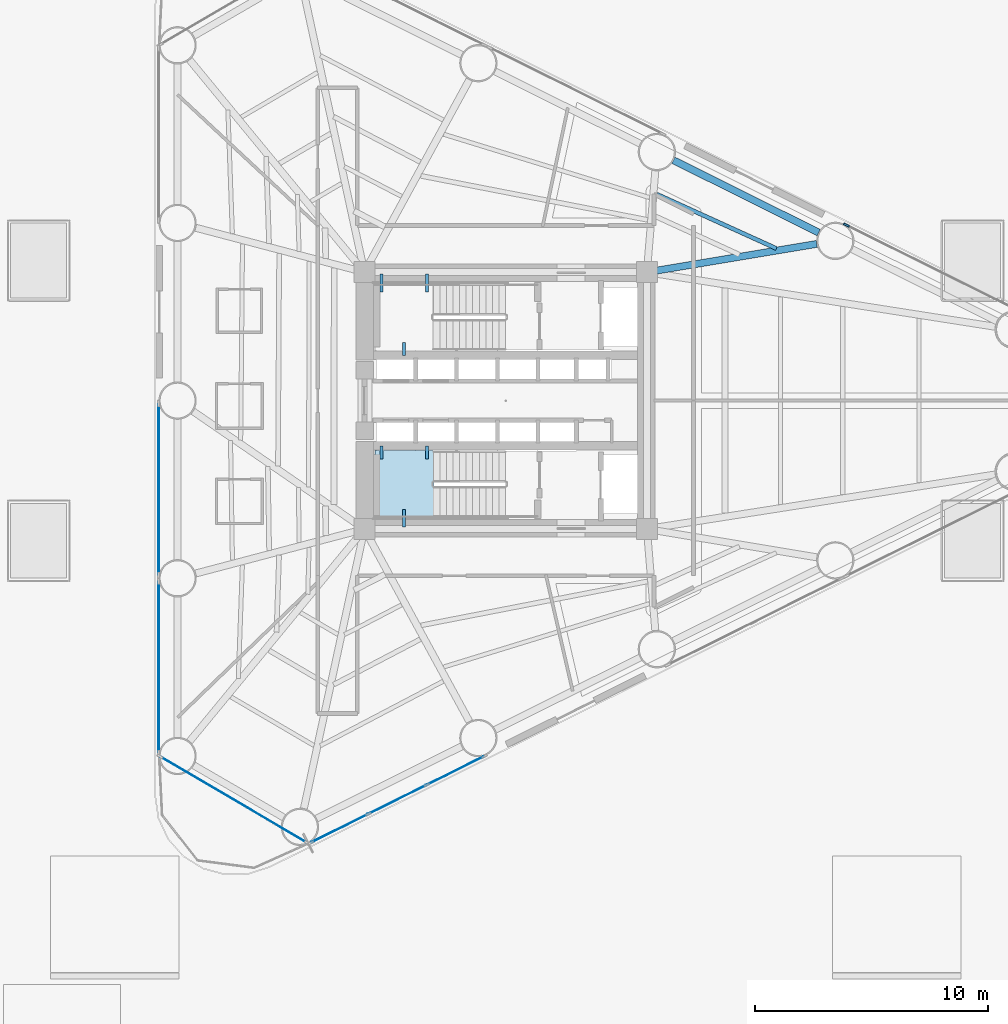
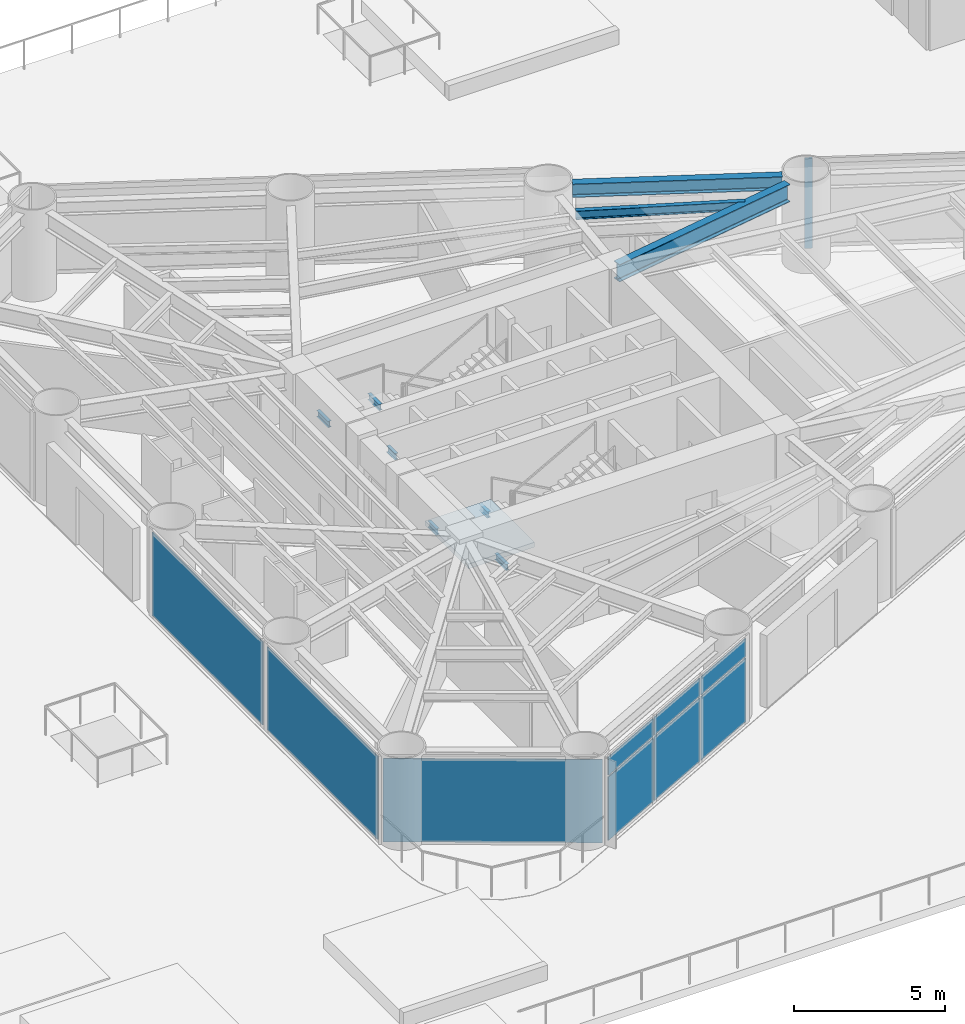
# One storey, part 4 of 13: 9 beams, 9 plates, 1 member, 1 slab, 6 elements without a shape of their own.
"""IFC4 building model written with IfcOpenShell, lengths in metres."""

from ifc_helpers import new_model, si_unit, direction, frame, origin, origin_2d, place, context, subcontext, project, spatial, polyline, rectangle, i_section, outline, extrude, source, transform, mapped, material, layer, layer_set, material_profile, profile_set, type_object, element, aggregate, save


model = new_model("IFC4")

# Units and contexts
model_context = context("Model", 3, precision=1e-05, world=origin(), true_north=direction((0.0, 1.0)))
body_context = subcontext(model_context, "Body", "Model", "MODEL_VIEW")
ifc_project = project(units=[si_unit("LENGTHUNIT", "METRE"), si_unit("AREAUNIT", "SQUARE_METRE"), si_unit("VOLUMEUNIT", "CUBIC_METRE"), si_unit("PLANEANGLEUNIT", "RADIAN"), si_unit("MASSUNIT", "GRAM", prefix="KILO")], contexts=[model_context])

# Site, building, storey
site_placement = place(None, origin())
site = spatial("IfcSite", under=ifc_project, at=site_placement, CompositionType="ELEMENT")
building_placement = place(site_placement, origin())
building = spatial("IfcBuilding", under=site, at=building_placement, Name="Yunling Apex Tower", CompositionType="ELEMENT")
storey_placement = place(building_placement, frame((0.0, 0.0, 20.10009765625)))
storey = spatial("IfcBuildingStorey", under=building, at=storey_placement, Name="L06", CompositionType="ELEMENT", Elevation=20.10009765625)

# Beams
ifc_material_1 = material(Name="Steel Q355B", Category="steel")
ifc_material_profile_1 = material_profile(ifc_material_1, i_section(OverallWidth=0.125, OverallDepth=0.25, WebThickness=0.006103515625, FlangeThickness=0.009033203125, FilletRadius=0.011962890625, at=origin_2d()))
ifc_profile_set_1 = profile_set([ifc_material_profile_1], Name="Steel Q355B")
beam_type_1 = type_object("IfcBeamType", Name="BL-LNT-1", PredefinedType="LINTEL", material=ifc_profile_set_1)
shared_shape_1 = source(origin(), body_context, "Body", "SweptSolid", [
    extrude(i_section(OverallWidth=0.125, OverallDepth=0.25, WebThickness=0.006103515625, FlangeThickness=0.009033203125, FilletRadius=0.011962890625, at=origin_2d()), origin(), (0.0, 0.0, 1.0), 0.760009765625),
])
for number, where, z_axis, x_axis, name in (
    (1, (-5.320068359375, 5.419921875, 1.52978515625), (0.0, -1.0, 0.0), (1.0, 0.0, 0.0), "L06 ST-1 Landing Bearing Corbel 1-1"),
    (2, (-3.3701171875, 5.419921875, 1.52978515625), (0.0, -1.0, 0.0), (1.0, 0.0, 0.0), "L06 ST-1 Landing Bearing Corbel 1-2"),
    (3, (-4.344970703125, -5.419921875, 1.52978515625), (0.0, 1.0, 0.0), (-1.0, 0.0, 0.0), "L06 ST-2 Landing Bearing Corbel 1-3"),
):
    element("IfcBeam", number, at=place(storey_placement, frame(where, z_axis=z_axis, x_axis=x_axis)), inside=storey, type_object=beam_type_1, Name=name, PredefinedType="LINTEL", context=body_context, shape_type="MappedRepresentation", body=[
        mapped(shared_shape_1, transform((0.0, 0.0, 0.0), scale=1.0)),
    ])
shared_shape_2 = source(origin(), body_context, "Body", "SweptSolid", [
    extrude(i_section(OverallWidth=0.125, OverallDepth=0.25, WebThickness=0.006103515625, FlangeThickness=0.009033203125, FilletRadius=0.011962890625, at=origin_2d()), origin(), (0.0, 0.0, 1.0), 0.550048828125),
])
for number, where, z_axis, x_axis, name in (
    (4, (-4.344970703125, 1.93994140625, 1.52978515625), (0.0, 1.0, 0.0), (-1.0, 0.0, 0.0), "L06 ST-1 Landing Bearing Corbel 1-3"),
    (5, (-5.320068359375, -1.93994140625, 1.52978515625), (0.0, -1.0, 0.0), (1.0, 0.0, 0.0), "L06 ST-2 Landing Bearing Corbel 1-1"),
    (6, (-3.3701171875, -1.93994140625, 1.52978515625), (0.0, -1.0, 0.0), (1.0, 0.0, 0.0), "L06 ST-2 Landing Bearing Corbel 1-2"),
):
    element("IfcBeam", number, at=place(storey_placement, frame(where, z_axis=z_axis, x_axis=x_axis)), inside=storey, type_object=beam_type_1, Name=name, PredefinedType="LINTEL", context=body_context, shape_type="MappedRepresentation", body=[
        mapped(shared_shape_2, transform((0.0, 0.0, 0.0), scale=1.0)),
    ])
ifc_material_profile_2 = material_profile(ifc_material_1, i_section(OverallWidth=0.300048828125, OverallDepth=0.5400390625, WebThickness=0.011962890625, FlangeThickness=0.02001953125, FilletRadius=0.02392578125, at=origin_2d()))
ifc_profile_set_2 = profile_set([ifc_material_profile_2], Name="Steel Q355B")
beam_type_2 = type_object("IfcBeamType", Name="BP-SPN-1", PredefinedType="SPANDREL", material=ifc_profile_set_2)
shared_shape_3 = source(origin(), body_context, "Body", "SweptSolid", [
    extrude(i_section(OverallWidth=0.300048828125, OverallDepth=0.5400390625, WebThickness=0.011962890625, FlangeThickness=0.02001953125, FilletRadius=0.02392578125, at=origin_2d()), origin(), (0.0, 0.0, 1.0), 6.95068359375),
])
beam_1_placement = place(storey_placement, frame((13.410888671875, 7.197509765625, 3.244873046875), z_axis=(-0.895254593944, 0.445554948375, 0.0), x_axis=(-0.445554948375, -0.895254593944, 0.0)))
element("IfcBeam", 7, at=beam_1_placement, inside=storey, type_object=beam_type_2, Name="L06 Perimeter Spandrel Beam 7", PredefinedType="SPANDREL", context=body_context, shape_type="MappedRepresentation", body=[
    mapped(shared_shape_3, transform((0.0, 0.0, 0.0), scale=1.0)),
])
ifc_material_profile_3 = material_profile(ifc_material_1, i_section(OverallWidth=0.300048828125, OverallDepth=0.699951171875, WebThickness=0.012939453125, FlangeThickness=0.02392578125, FilletRadius=0.02587890625, at=origin_2d()))
ifc_profile_set_3 = profile_set([ifc_material_profile_3], Name="Steel Q355B")
beam_type_3 = type_object("IfcBeamType", Name="BG-PRI-3", PredefinedType="USERDEFINED", material=ifc_profile_set_3)
shared_shape_4 = source(origin(), body_context, "Body", "SweptSolid", [
    extrude(i_section(OverallWidth=0.300048828125, OverallDepth=0.699951171875, WebThickness=0.012939453125, FlangeThickness=0.02392578125, FilletRadius=0.02587890625, at=origin_2d()), origin(), (0.0, 0.0, 1.0), 7.294921875),
])
beam_2_placement = place(storey_placement, frame((13.32470703125, 6.7109375, 3.164794921875), z_axis=(-0.98642827455, -0.164192750049, 0.0), x_axis=(0.164192750049, -0.98642827455, 0.0)))
element("IfcBeam", 8, at=beam_2_placement, inside=storey, type_object=beam_type_3, Name="L06 Radial Primary Girder R07", ObjectType="GIRDER", PredefinedType="USERDEFINED", context=body_context, shape_type="MappedRepresentation", body=[
    mapped(shared_shape_4, transform((0.0, 0.0, 0.0), scale=1.0)),
])
ifc_material_profile_4 = material_profile(ifc_material_1, i_section(OverallWidth=0.175048828125, OverallDepth=0.35009765625, WebThickness=0.007080078125, FlangeThickness=0.010986328125, FilletRadius=0.013916015625, at=origin_2d()))
ifc_profile_set_4 = profile_set([ifc_material_profile_4], Name="Steel Q355B")
beam_type_4 = type_object("IfcBeamType", Name="BJ-JST-1", PredefinedType="JOIST", material=ifc_profile_set_4)
shared_shape_5 = source(origin(), body_context, "Body", "SweptSolid", [
    extrude(i_section(OverallWidth=0.175048828125, OverallDepth=0.35009765625, WebThickness=0.007080078125, FlangeThickness=0.010986328125, FilletRadius=0.013916015625, at=origin_2d()), origin(), (0.0, 0.0, 1.0), 5.62109375),
])
beam_3_placement = place(storey_placement, frame((11.595947265625, 6.513671875, 3.33984375), z_axis=(-0.910411095702, 0.413704770124, 0.0), x_axis=(-0.413704770124, -0.910411095702, 0.0)))
element("IfcBeam", 9, at=beam_3_placement, inside=storey, type_object=beam_type_4, Name="L06 Composite Floor Joist BJ1-7", PredefinedType="JOIST", context=body_context, shape_type="MappedRepresentation", body=[
    mapped(shared_shape_5, transform((0.0, 0.0, 0.0), scale=1.0)),
])

# Curtain wall, member
ifc_material_2 = material(Name="Bronze anodised aluminium", Category="aluminium")
ifc_layer_1 = layer(ifc_material_2, 0.260009765625)
ifc_layer_set_1 = layer_set([ifc_layer_1], Name="Bronze anodised aluminium")
curtain_wall_type = type_object("IfcCurtainWallType", Name="CW-SYS-2", PredefinedType="NOTDEFINED", material=ifc_layer_set_1)
curtain_wall_1_placement = place(storey_placement, origin())
curtain_wall_1 = element("IfcCurtainWall", 10, at=curtain_wall_1_placement, inside=storey, type_object=curtain_wall_type, Name="CW-L06-F2-B1", PredefinedType="NOTDEFINED")
ifc_material_profile_5 = material_profile(ifc_material_2, rectangle(XDim=0.0849609375, YDim=0.260009765625, at=origin_2d()))
ifc_profile_set_5 = profile_set([ifc_material_profile_5], Name="Bronze anodised aluminium")
member_type = type_object("IfcMemberType", Name="CW-MUL-2", PredefinedType="MULLION", material=ifc_profile_set_5)
shared_shape_6 = source(origin(), body_context, "Body", "SweptSolid", [
    extrude(rectangle(XDim=0.0849609375, YDim=0.260009765625, at=origin_2d()), origin(), (0.0, 0.0, 1.0), 3.614990234375),
])
member_placement = place(storey_placement, frame((14.59228515625, 7.51416015625, -0.050048828125), z_axis=(0.0, 0.0, 1.0), x_axis=(-0.445580190214, -0.895242031011, 0.0)))
member = element("IfcMember", 11, at=member_placement, type_object=member_type, Name="CW-SYS-2 mullion 2", PredefinedType="MULLION", context=body_context, shape_type="MappedRepresentation", body=[
    mapped(shared_shape_6, transform((0.0, 0.0, 0.0), scale=1.0)),
])
aggregate(curtain_wall_1, [member])

# Stair, slab
ifc_material_3 = material(Name="Concrete C40", Category="concrete")
stair_type = type_object("IfcStairType", Name="ST-TWR-1", PredefinedType="HALF_TURN_STAIR", material=ifc_material_3)
stair_placement = place(storey_placement, origin())
stair = element("IfcStair", 12, at=stair_placement, inside=storey, type_object=stair_type, Name="L06 South Core Smokeproof Exit Stair ST-2", PredefinedType="HALF_TURN_STAIR")
ifc_layer_2 = layer(ifc_material_3, 0.195068359375)
ifc_layer_set_2 = layer_set([ifc_layer_2], Name="Concrete C40")
slab_type = type_object("IfcSlabType", Name="SL-LND-1", PredefinedType="LANDING", material=ifc_layer_set_2)
slab_placement = place(storey_placement, frame((0.0, 0.0, 1.65478515625)))
slab = element("IfcSlab", 13, at=slab_placement, type_object=slab_type, Name="ST-2 landing 1", PredefinedType="LANDING", context=body_context, shape_type="SweptSolid", body=[
    extrude(outline(polyline([(-3.090087890625, -2.139892578125), (-5.60009765625, -2.139892578125), (-5.60009765625, -5.010009765625), (-3.090087890625, -5.010009765625), (-3.090087890625, -2.139892578125)])), origin(), (0.0, 0.0, 1.0), 0.195068359375),
])
aggregate(stair, [slab])

# Curtain wall, plates
curtain_wall_2_placement = place(storey_placement, origin())
curtain_wall_2 = element("IfcCurtainWall", 14, at=curtain_wall_2_placement, inside=storey, type_object=curtain_wall_type, Name="CW-L06-F1-B1", PredefinedType="NOTDEFINED")
ifc_material_4 = material(Name="Bronze tinted low-E glass", Category="glass")
ifc_layer_3 = layer(ifc_material_4, 0.033935546875)
ifc_layer_set_3 = layer_set([ifc_layer_3], Name="Bronze tinted low-E glass")
plate_type = type_object("IfcPlateType", Name="CW-PNL-2", PredefinedType="CURTAIN_PANEL", material=ifc_layer_set_3)
shared_shape_7 = source(origin(), body_context, "Body", "SweptSolid", [
    extrude(rectangle(XDim=2.681884765625, YDim=0.033935546875, at=origin_2d()), origin(), (0.0, 0.0, 1.0), 2.560302734375),
])
plate_1_placement = place(storey_placement, frame((-7.10986328125, -18.315673828125, 0.07666015625), z_axis=(0.0, 0.0, 1.0), x_axis=(0.895246791748, 0.445570625003, 0.0)))
plate_1 = element("IfcPlate", 15, at=plate_1_placement, type_object=plate_type, Name="CW-SYS-2 panel 1.1", PredefinedType="CURTAIN_PANEL", context=body_context, shape_type="MappedRepresentation", body=[
    mapped(shared_shape_7, transform((0.0, 0.0, 0.0), scale=1.0)),
])
plate_2_placement = place(storey_placement, frame((-2.14697265625, -15.845703125, 0.07666015625), z_axis=(0.0, 0.0, 1.0), x_axis=(0.895246791748, 0.445570625003, 0.0)))
plate_2 = element("IfcPlate", 16, at=plate_2_placement, type_object=plate_type, Name="CW-SYS-2 panel 3.1", PredefinedType="CURTAIN_PANEL", context=body_context, shape_type="MappedRepresentation", body=[
    mapped(shared_shape_7, transform((0.0, 0.0, 0.0), scale=1.0)),
])
shared_shape_8 = source(origin(), body_context, "Body", "SweptSolid", [
    extrude(rectangle(XDim=2.681884765625, YDim=0.033935546875, at=origin_2d()), origin(), (0.0, 0.0, 1.0), 0.732666015625),
])
plate_3_placement = place(storey_placement, frame((-7.10986328125, -18.315673828125, 2.70556640625), z_axis=(0.0, 0.0, 1.0), x_axis=(0.895246791748, 0.445570625003, 0.0)))
plate_3 = element("IfcPlate", 17, at=plate_3_placement, type_object=plate_type, Name="CW-SYS-2 panel 1.2", PredefinedType="CURTAIN_PANEL", context=body_context, shape_type="MappedRepresentation", body=[
    mapped(shared_shape_8, transform((0.0, 0.0, 0.0), scale=1.0)),
])
plate_4_placement = place(storey_placement, frame((-2.14697265625, -15.845703125, 2.70556640625), z_axis=(0.0, 0.0, 1.0), x_axis=(0.895246791748, 0.445570625003, 0.0)))
plate_4 = element("IfcPlate", 18, at=plate_4_placement, type_object=plate_type, Name="CW-SYS-2 panel 3.2", PredefinedType="CURTAIN_PANEL", context=body_context, shape_type="MappedRepresentation", body=[
    mapped(shared_shape_8, transform((0.0, 0.0, 0.0), scale=1.0)),
])
shared_shape_9 = source(origin(), body_context, "Body", "SweptSolid", [
    extrude(rectangle(XDim=2.724365234375, YDim=0.033935546875, at=origin_2d()), origin(), (0.0, 0.0, 1.0), 2.560302734375),
])
plate_5_placement = place(storey_placement, frame((-4.62841796875, -17.08056640625, 0.07666015625), z_axis=(0.0, 0.0, 1.0), x_axis=(0.895246791748, 0.445570625003, 0.0)))
plate_5 = element("IfcPlate", 19, at=plate_5_placement, type_object=plate_type, Name="CW-SYS-2 panel 2.1", PredefinedType="CURTAIN_PANEL", context=body_context, shape_type="MappedRepresentation", body=[
    mapped(shared_shape_9, transform((0.0, 0.0, 0.0), scale=1.0)),
])
shared_shape_10 = source(origin(), body_context, "Body", "SweptSolid", [
    extrude(rectangle(XDim=2.724365234375, YDim=0.033935546875, at=origin_2d()), origin(), (0.0, 0.0, 1.0), 0.732666015625),
])
plate_6_placement = place(storey_placement, frame((-4.62841796875, -17.08056640625, 2.70556640625), z_axis=(0.0, 0.0, 1.0), x_axis=(0.895246791748, 0.445570625003, 0.0)))
plate_6 = element("IfcPlate", 20, at=plate_6_placement, type_object=plate_type, Name="CW-SYS-2 panel 2.2", PredefinedType="CURTAIN_PANEL", context=body_context, shape_type="MappedRepresentation", body=[
    mapped(shared_shape_10, transform((0.0, 0.0, 0.0), scale=1.0)),
])
aggregate(curtain_wall_2, [plate_1, plate_3, plate_5, plate_6, plate_2, plate_4])

# Curtain wall, plate
curtain_wall_3_placement = place(storey_placement, origin())
curtain_wall_3 = element("IfcCurtainWall", 21, at=curtain_wall_3_placement, inside=storey, type_object=curtain_wall_type, Name="CW-L06-CRN3", PredefinedType="NOTDEFINED")
shared_shape_11 = source(origin(), body_context, "Body", "SweptSolid", [
    extrude(rectangle(XDim=7.247314453125, YDim=0.033935546875, at=origin_2d()), origin(), (0.0, 0.0, 1.0), 3.361572265625),
])
plate_7_placement = place(storey_placement, frame((-11.650634765625, -17.092041015625, 0.07666015625), z_axis=(0.0, 0.0, 1.0), x_axis=(0.86241873323, -0.506195543811, 0.0)))
plate_7 = element("IfcPlate", 22, at=plate_7_placement, type_object=plate_type, Name="CW-SYS-2 panel 1.1", PredefinedType="CURTAIN_PANEL", context=body_context, shape_type="MappedRepresentation", body=[
    mapped(shared_shape_11, transform((0.0, 0.0, 0.0), scale=1.0)),
])
aggregate(curtain_wall_3, [plate_7])

curtain_wall_4_placement = place(storey_placement, origin())
curtain_wall_4 = element("IfcCurtainWall", 23, at=curtain_wall_4_placement, inside=storey, type_object=curtain_wall_type, Name="CW-L06-F3-B3", PredefinedType="NOTDEFINED")
shared_shape_12 = source(origin(), body_context, "Body", "SweptSolid", [
    extrude(rectangle(XDim=7.2958984375, YDim=0.033935546875, at=origin_2d()), origin(), (0.0, 0.0, 1.0), 3.361572265625),
])
plate_8_placement = place(storey_placement, frame((-14.862060546875, -3.8046875, 0.07666015625), z_axis=(0.0, 0.0, 1.0), x_axis=(0.0, -1.0, 0.0)))
plate_8 = element("IfcPlate", 24, at=plate_8_placement, type_object=plate_type, Name="CW-SYS-2 panel 1.1", PredefinedType="CURTAIN_PANEL", context=body_context, shape_type="MappedRepresentation", body=[
    mapped(shared_shape_12, transform((0.0, 0.0, 0.0), scale=1.0)),
])
aggregate(curtain_wall_4, [plate_8])

curtain_wall_5_placement = place(storey_placement, origin())
curtain_wall_5 = element("IfcCurtainWall", 25, at=curtain_wall_5_placement, inside=storey, type_object=curtain_wall_type, Name="CW-L06-F3-B4", PredefinedType="NOTDEFINED")
plate_9_placement = place(storey_placement, frame((-14.862060546875, -11.414306640625, 0.07666015625), z_axis=(0.0, 0.0, 1.0), x_axis=(0.0, -1.0, 0.0)))
plate_9 = element("IfcPlate", 26, at=plate_9_placement, type_object=plate_type, Name="CW-SYS-2 panel 1.1", PredefinedType="CURTAIN_PANEL", context=body_context, shape_type="MappedRepresentation", body=[
    mapped(shared_shape_12, transform((0.0, 0.0, 0.0), scale=1.0)),
])
aggregate(curtain_wall_5, [plate_9])

save(model, "model.ifc")
